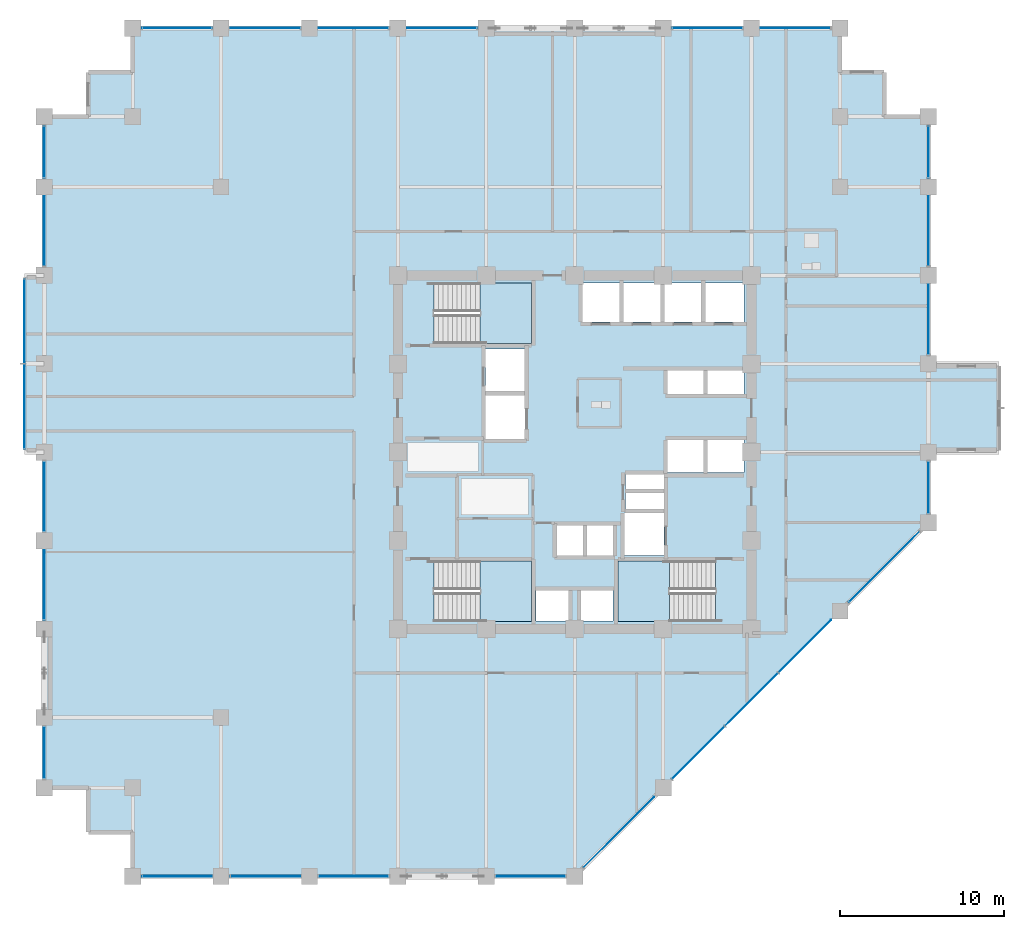
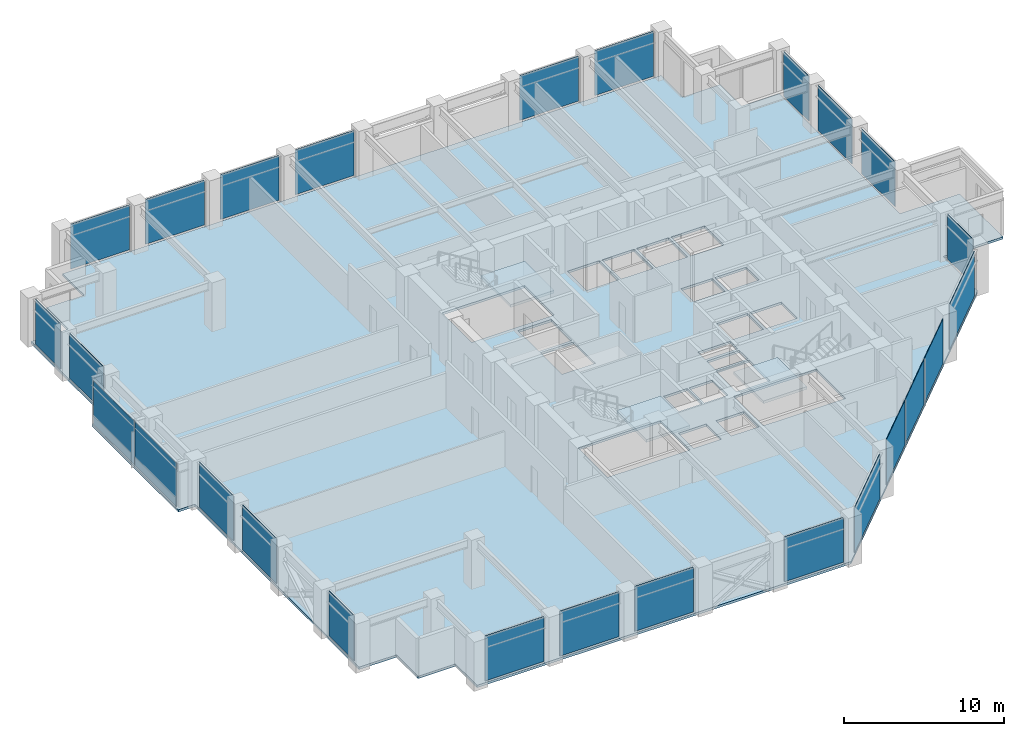
# One storey, part 18 of 26: 26 plates, 4 slabs, 14 elements without a shape of their own.
"""IFC4 building model written with IfcOpenShell, lengths in metres."""

import ifcopenshell
import ifcopenshell.guid

model = None  # the IFC model being written
_history = None  # IfcOwnerHistory: only IFC2X3 demands one
_inside = {}  # id of a spatial element -> (the spatial element, [elements in it])
_under = {}  # id of a project, library or spatial element -> (it, [spatial elements below it])
_declared = {}  # id of a project -> (the project, [libraries it declares])
_typed = {}  # id of a type object -> (the type object, [elements of that type])
_made_of = {}  # id of a material, layer set ... -> (it, [elements and type objects made of it])


def new_model(schema):
    """Start an empty IFC model of exactly this schema.

    Asked for "IFC4X3", IfcOpenShell would pick the latest addendum, in which some entities
    have other attributes; the version numbers below select the first issue.
    IFC2X3 requires an IfcOwnerHistory on every rooted entity: one is made here for all.
    """
    global model, _history
    if schema == "IFC4X3":
        model = ifcopenshell.file(schema_version=(4, 3, 0, 0))
    else:
        model = ifcopenshell.file(schema=schema)
    _inside.clear()
    _under.clear()
    _declared.clear()
    _typed.clear()
    _made_of.clear()
    _history = None
    if model.schema == "IFC2X3":
        org = make("IfcOrganization", Name="unknown")
        user = make(
            "IfcPersonAndOrganization",
            ThePerson=make("IfcPerson", FamilyName="unknown"),
            TheOrganization=org,
        )
        app = make(
            "IfcApplication",
            ApplicationDeveloper=org,
            Version="unknown",
            ApplicationFullName="unknown",
            ApplicationIdentifier="unknown",
        )
        _history = make(
            "IfcOwnerHistory",
            OwningUser=user,
            OwningApplication=app,
            ChangeAction="ADDED",
            CreationDate=0,
        )
    return model


def make(cls, **values):
    """One entity of the class cls with the attributes given. An attribute that is None is left unset."""
    return model.create_entity(
        cls, **{name: value for name, value in values.items() if value is not None}
    )


def rooted(cls, **values):
    """An entity with a GlobalId (a new one), such as an element, a storey or a relation."""
    return make(cls, GlobalId=ifcopenshell.guid.new(), OwnerHistory=_history, **values)


def si_unit(unit_type, name, prefix=None):
    """IfcSIUnit, for example si_unit("LENGTHUNIT", "METRE", prefix="MILLI")."""
    return make("IfcSIUnit", UnitType=unit_type, Prefix=prefix, Name=name)


def assignment(units):
    """IfcUnitAssignment: the units of a project."""
    return None if units is None else make("IfcUnitAssignment", Units=units)


def point(xyz):
    """IfcCartesianPoint."""
    return None if xyz is None else make("IfcCartesianPoint", Coordinates=xyz)


def direction(xyz):
    """IfcDirection."""
    return None if xyz is None else make("IfcDirection", DirectionRatios=xyz)


def frame(location, z_axis=None, x_axis=None):
    """IfcAxis2Placement3D, a coordinate frame: its origin and axes. An axis left out is left unset."""
    return make(
        "IfcAxis2Placement3D",
        Location=point(location),
        Axis=direction(z_axis),
        RefDirection=direction(x_axis),
    )


def frame_2d(location, x_axis=None):
    """IfcAxis2Placement2D, a coordinate frame in the plane: its origin and x axis."""
    return make(
        "IfcAxis2Placement2D", Location=point(location), RefDirection=direction(x_axis)
    )


def origin():
    """The frame at (0, 0, 0) with its axes left unset."""
    return frame((0.0, 0.0, 0.0))


def place(relative_to, where):
    """IfcLocalPlacement: puts the frame where relative to a parent placement (None: the world)."""
    return make(
        "IfcLocalPlacement", PlacementRelTo=relative_to, RelativePlacement=where
    )


def context(
    kind, dimensions, precision=None, world=None, true_north=None, identifier=None
):
    """IfcGeometricRepresentationContext, for example the 3D "Model" context."""
    return make(
        "IfcGeometricRepresentationContext",
        ContextIdentifier=identifier,
        ContextType=kind,
        CoordinateSpaceDimension=dimensions,
        Precision=precision,
        WorldCoordinateSystem=world,
        TrueNorth=true_north,
    )


def subcontext(parent, identifier, kind, view, scale=None):
    """IfcGeometricRepresentationSubContext, for example "Body" below "Model"."""
    return make(
        "IfcGeometricRepresentationSubContext",
        ContextIdentifier=identifier,
        ContextType=kind,
        ParentContext=parent,
        TargetScale=scale,
        TargetView=view,
    )


def project(units=None, contexts=None):
    """IfcProject with its units and contexts."""
    return rooted(
        "IfcProject",
        Name="project",
        RepresentationContexts=contexts,
        UnitsInContext=assignment(units),
    )


def spatial(cls, under=None, at=None, **own):
    """A site, building, storey or space (cls), placed at a placement, below another one or the project."""
    s = rooted(cls, ObjectPlacement=at, **own)
    if under is not None:
        _under.setdefault(under.id(), (under, []))[1].append(s)
    return s


def polyline(points):
    """IfcPolyline through the points."""
    return make("IfcPolyline", Points=[point(p) for p in points])


def profile(cls, at=None, kind="AREA", **sizes):
    """A parametric profile (cls). Its sizes go by their IFC names, for example OverallWidth=200.0."""
    return make(cls, ProfileType=kind, Position=at, **sizes)


def rectangle(**sizes):
    """IfcRectangleProfileDef."""
    return profile("IfcRectangleProfileDef", **sizes)


def outline(outer, holes=None, kind="AREA"):
    """IfcArbitraryClosedProfileDef: a profile drawn as a closed curve; with holes, ...WithVoids."""
    if holes is None:
        return make("IfcArbitraryClosedProfileDef", ProfileType=kind, OuterCurve=outer)
    return make(
        "IfcArbitraryProfileDefWithVoids",
        ProfileType=kind,
        OuterCurve=outer,
        InnerCurves=holes,
    )


def extrude(swept, where, along, depth):
    """IfcExtrudedAreaSolid: the profile swept, set in the frame where, extruded along a direction by depth."""
    return make(
        "IfcExtrudedAreaSolid",
        SweptArea=swept,
        Position=where,
        ExtrudedDirection=direction(along),
        Depth=depth,
    )


def shape(context_of_items, identifier, shape_type, items):
    """IfcShapeRepresentation: the items that make up one representation, for example the "Body"."""
    return make(
        "IfcShapeRepresentation",
        ContextOfItems=context_of_items,
        RepresentationIdentifier=identifier,
        RepresentationType=shape_type,
        Items=items,
    )


def material(Name=None, Category=None):
    """IfcMaterial."""
    return make("IfcMaterial", Name=Name, Category=Category)


def layer(
    of_material, thickness, ventilated=None, Name=None, Category=None, Priority=None
):
    """IfcMaterialLayer: one layer of a wall or slab, of a material (None: an air gap)."""
    return make(
        "IfcMaterialLayer",
        Material=of_material,
        LayerThickness=thickness,
        IsVentilated=ventilated,
        Name=Name,
        Category=Category,
        Priority=Priority,
    )


def layer_set(layers, Name=None):
    """IfcMaterialLayerSet."""
    return make("IfcMaterialLayerSet", MaterialLayers=layers, LayerSetName=Name)


def made_of(thing, what):
    """Note that an element or type object is made of a material, layer set ...; save() writes the relation."""
    if what is not None:
        _made_of.setdefault(what.id(), (what, []))[1].append(thing)
    return thing


def type_object(cls, material=None, **own):
    """A type object (cls), such as IfcWallType, which elements share."""
    return made_of(rooted(cls, **own), material)


def element(
    cls,
    number,
    at=None,
    inside=None,
    cuts=None,
    type_object=None,
    material=None,
    context=None,
    identifier="Body",
    shape_type=None,
    held_by="IfcProductDefinitionShape",
    body=None,
    shapes=None,
    **own,
):
    """One element of the class cls, such as IfcWall. Its Tag is "e" and its number.

    at: its placement. inside: the storey or other place that contains it. cuts: it is an
    opening in that element (IfcRelVoidsElement). A single representation is given by context,
    identifier, shape_type and body (its items); several are given by shapes. held_by: the class
    of the entity that holds the representations. save() writes the other relations.
    """
    e = rooted(cls, Tag="e%d" % number, ObjectPlacement=at, **own)
    if body is not None:
        shapes = [shape(context, identifier, shape_type, body)]
    if shapes is not None:
        e.Representation = make(held_by, Representations=shapes)
    if inside is not None:
        _inside.setdefault(inside.id(), (inside, []))[1].append(e)
    if cuts is not None:
        rooted(
            "IfcRelVoidsElement", RelatingBuildingElement=cuts, RelatedOpeningElement=e
        )
    if type_object is not None:
        _typed.setdefault(type_object.id(), (type_object, []))[1].append(e)
    return made_of(e, material)


def aggregate(whole, parts):
    """IfcRelAggregates: a whole, such as a stair, and the parts it consists of."""
    return rooted("IfcRelAggregates", RelatingObject=whole, RelatedObjects=parts)


def save(model, path):
    """Write the relations noted so far, then the file.

    IfcRelAggregates (storeys below a building ...), IfcRelContainedInSpatialStructure (elements
    in a storey), IfcRelDefinesByType, IfcRelAssociatesMaterial and IfcRelDeclares: one each for
    every whole, place, type object, material and project.
    """
    for whole, parts in _under.values():
        aggregate(whole, parts)
    for where, things in _inside.values():
        rooted(
            "IfcRelContainedInSpatialStructure",
            RelatedElements=things,
            RelatingStructure=where,
        )
    for kind, things in _typed.values():
        rooted("IfcRelDefinesByType", RelatedObjects=things, RelatingType=kind)
    for what, things in _made_of.values():
        rooted("IfcRelAssociatesMaterial", RelatedObjects=things, RelatingMaterial=what)
    for by, libraries in _declared.values():
        rooted("IfcRelDeclares", RelatingContext=by, RelatedDefinitions=libraries)
    model.write(path)


model = new_model("IFC4")

# Units and contexts
model_context = context("Model", 3, precision=1e-05, world=origin(), true_north=direction((0.0, 1.0)))
body_context = subcontext(model_context, "Body", "Model", "MODEL_VIEW")
ifc_project = project(units=[si_unit("LENGTHUNIT", "METRE"), si_unit("AREAUNIT", "SQUARE_METRE"), si_unit("VOLUMEUNIT", "CUBIC_METRE"), si_unit("PLANEANGLEUNIT", "RADIAN"), si_unit("MASSUNIT", "GRAM", prefix="KILO")], contexts=[model_context])

# Site, building, storey
site_placement = place(None, origin())
site = spatial("IfcSite", under=ifc_project, at=site_placement, CompositionType="ELEMENT")
building_placement = place(site_placement, origin())
building = spatial("IfcBuilding", under=site, at=building_placement, Name="Surkhivell Harbour Commons", CompositionType="ELEMENT")
storey_placement = place(building_placement, frame((0.0, 0.0, 143.25)))
storey = spatial("IfcBuildingStorey", under=building, at=storey_placement, Name="L37", CompositionType="ELEMENT", Elevation=143.25)

# Curtain wall, plates
ifc_material_1 = material(Name="Anodised pale-metal aluminium and insulated glazing", Category="aluminium")
ifc_layer_1 = layer(ifc_material_1, 0.1650390625)
ifc_layer_set_1 = layer_set([ifc_layer_1], Name="Anodised pale-metal aluminium and insulated glazing")
curtain_wall_type_1 = type_object("IfcCurtainWallType", Name="CW-SYS-BOX", PredefinedType="NOTDEFINED", material=ifc_layer_set_1)
curtain_wall_1_placement = place(storey_placement, origin())
curtain_wall_1 = element("IfcCurtainWall", 1, at=curtain_wall_1_placement, inside=storey, type_object=curtain_wall_type_1, Name="L37 Curtain Wall CW-L37-BOX02", PredefinedType="NOTDEFINED")
ifc_material_2 = material(Name="Triple-glazed bay-cluster vision glass", Category="glass")
ifc_layer_2 = layer(ifc_material_2, 0.028076171875)
ifc_layer_set_2 = layer_set([ifc_layer_2], Name="Triple-glazed bay-cluster vision glass")
plate_type_1 = type_object("IfcPlateType", Name="CWP-GLZ-28", PredefinedType="CURTAIN_PANEL", material=ifc_layer_set_2)
plate_1_placement = place(storey_placement, frame((-33.60009765625, 0.219970703125, 0.1298828125), z_axis=(0.0, 0.0, 1.0), x_axis=(0.0, 1.0, 0.0)))
plate_1 = element("IfcPlate", 2, at=plate_1_placement, type_object=plate_type_1, Name="CW-BOX panel 1.1", PredefinedType="CURTAIN_PANEL", context=body_context, shape_type="SweptSolid", body=[
    extrude(rectangle(XDim=5.14501953125, YDim=0.028076171875, at=frame_2d((2.572509765625, 0.0))), origin(), (0.0, 0.0, 1.0), 3.31005859375),
])
plate_2_placement = place(storey_placement, frame((-33.60009765625, 5.43505859375, 0.1298828125), z_axis=(0.0, 0.0, 1.0), x_axis=(0.0, 1.0, 0.0)))
plate_2 = element("IfcPlate", 3, at=plate_2_placement, type_object=plate_type_1, Name="CW-BOX panel 2.1", PredefinedType="CURTAIN_PANEL", context=body_context, shape_type="SweptSolid", body=[
    extrude(rectangle(XDim=5.14501953125, YDim=0.028076171875, at=frame_2d((2.572509765625, 0.0))), origin(), (0.0, 0.0, 1.0), 3.31005859375),
])
aggregate(curtain_wall_1, [plate_1, plate_2])

ifc_layer_3 = layer(ifc_material_1, 0.205078125)
ifc_layer_set_3 = layer_set([ifc_layer_3], Name="Anodised pale-metal aluminium and insulated glazing")
curtain_wall_type_2 = type_object("IfcCurtainWallType", Name="CW-SYS-Z2", PredefinedType="NOTDEFINED", material=ifc_layer_set_3)
curtain_wall_2_placement = place(storey_placement, origin())
curtain_wall_2 = element("IfcCurtainWall", 4, at=curtain_wall_2_placement, inside=storey, type_object=curtain_wall_type_2, Name="L37 Curtain Wall CW-L37-E00S1", PredefinedType="NOTDEFINED")
ifc_material_3 = material(Name="High-pressure typhoon laminated vision glass", Category="glass")
ifc_layer_4 = layer(ifc_material_3, 0.035888671875)
ifc_layer_set_4 = layer_set([ifc_layer_4], Name="High-pressure typhoon laminated vision glass")
plate_type_2 = type_object("IfcPlateType", Name="CWP-GLZ-36", PredefinedType="CURTAIN_PANEL", material=ifc_layer_set_4)
plate_3_placement = place(storey_placement, frame((-26.423095703125, -25.89990234375, 0.14990234375), z_axis=(0.0, 0.0, 1.0), x_axis=(1.0, 0.0, 0.0)))
plate_3 = element("IfcPlate", 5, at=plate_3_placement, type_object=plate_type_2, Name="CW-Z2 panel 1.1", PredefinedType="CURTAIN_PANEL", context=body_context, shape_type="SweptSolid", body=[
    extrude(rectangle(XDim=4.24609375, YDim=0.035888671875, at=frame_2d((2.123046875, 0.0))), origin(), (0.0, 0.0, 1.0), 3.420166015625),
])
plate_4_placement = place(storey_placement, frame((-21.02294921875, -25.89990234375, 0.14990234375), z_axis=(0.0, 0.0, 1.0), x_axis=(1.0, 0.0, 0.0)))
plate_4 = element("IfcPlate", 6, at=plate_4_placement, type_object=plate_type_2, Name="CW-Z2 panel 2.1", PredefinedType="CURTAIN_PANEL", context=body_context, shape_type="SweptSolid", body=[
    extrude(rectangle(XDim=4.245849609375, YDim=0.035888671875, at=frame_2d((2.123046875, 0.0))), origin(), (0.0, 0.0, 1.0), 3.420166015625),
])
plate_5_placement = place(storey_placement, frame((-15.623046875, -25.89990234375, 0.14990234375), z_axis=(0.0, 0.0, 1.0), x_axis=(1.0, 0.0, 0.0)))
plate_5 = element("IfcPlate", 7, at=plate_5_placement, type_object=plate_type_2, Name="CW-Z2 panel 3.1", PredefinedType="CURTAIN_PANEL", context=body_context, shape_type="SweptSolid", body=[
    extrude(rectangle(XDim=4.24609375, YDim=0.035888671875, at=frame_2d((2.123046875, 0.0))), origin(), (0.0, 0.0, 1.0), 3.420166015625),
])
aggregate(curtain_wall_2, [plate_3, plate_4, plate_5])

# Curtain wall, plate
curtain_wall_3_placement = place(storey_placement, origin())
curtain_wall_3 = element("IfcCurtainWall", 8, at=curtain_wall_3_placement, inside=storey, type_object=curtain_wall_type_2, Name="L37 Curtain Wall CW-L37-E00S2", PredefinedType="NOTDEFINED")
plate_6_placement = place(storey_placement, frame((-4.822998046875, -25.89990234375, 0.14990234375), z_axis=(0.0, 0.0, 1.0), x_axis=(1.0, 0.0, 0.0)))
plate_6 = element("IfcPlate", 9, at=plate_6_placement, type_object=plate_type_2, Name="CW-Z2 panel 1.1", PredefinedType="CURTAIN_PANEL", context=body_context, shape_type="SweptSolid", body=[
    extrude(rectangle(XDim=4.24609375, YDim=0.035888671875, at=frame_2d((2.123046875, 0.0))), origin(), (0.0, 0.0, 1.0), 3.420166015625),
])
aggregate(curtain_wall_3, [plate_6])

# Curtain wall, plates
curtain_wall_4_placement = place(storey_placement, origin())
curtain_wall_4 = element("IfcCurtainWall", 10, at=curtain_wall_4_placement, inside=storey, type_object=curtain_wall_type_2, Name="L37 Curtain Wall CW-L37-E01", PredefinedType="NOTDEFINED")
plate_7_placement = place(storey_placement, frame((0.5546875, -25.34521484375, 0.14990234375), z_axis=(0.0, 0.0, 1.0), x_axis=(0.707106781187, 0.707106781187, 0.0)))
plate_7 = element("IfcPlate", 11, at=plate_7_placement, type_object=plate_type_2, Name="CW-Z2 panel 1.1", PredefinedType="CURTAIN_PANEL", context=body_context, shape_type="SweptSolid", body=[
    extrude(rectangle(XDim=6.067626953125, YDim=0.035888671875, at=frame_2d((3.03369140625, 0.0))), origin(), (0.0, 0.0, 1.0), 3.420166015625),
])
plate_8_placement = place(storey_placement, frame((5.954833984375, -19.9453125, 0.14990234375), z_axis=(0.0, 0.0, 1.0), x_axis=(0.707079687416, 0.707133873919, 0.0)))
plate_8 = element("IfcPlate", 12, at=plate_8_placement, type_object=plate_type_2, Name="CW-Z2 panel 2.1", PredefinedType="CURTAIN_PANEL", context=body_context, shape_type="SweptSolid", body=[
    extrude(rectangle(XDim=4.505615234375, YDim=0.035888671875, at=frame_2d((2.2529296875, 0.0))), origin(), (0.0, 0.0, 1.0), 3.420166015625),
])
plate_9_placement = place(storey_placement, frame((9.19384765625, -16.706298828125, 0.14990234375), z_axis=(0.0, 0.0, 1.0), x_axis=(0.707079911854, 0.707133649498, 0.0)))
plate_9 = element("IfcPlate", 13, at=plate_9_placement, type_object=plate_type_2, Name="CW-Z2 panel 3.1", PredefinedType="CURTAIN_PANEL", context=body_context, shape_type="SweptSolid", body=[
    extrude(rectangle(XDim=4.543212890625, YDim=0.035888671875, at=frame_2d((2.271484375, 0.0))), origin(), (0.0, 0.0, 1.0), 3.420166015625),
])
plate_10_placement = place(storey_placement, frame((12.459228515625, -13.440673828125, 0.14990234375), z_axis=(0.0, 0.0, 1.0), x_axis=(0.707106781187, 0.707106781187, 0.0)))
plate_10 = element("IfcPlate", 14, at=plate_10_placement, type_object=plate_type_2, Name="CW-Z2 panel 4.1", PredefinedType="CURTAIN_PANEL", context=body_context, shape_type="SweptSolid", body=[
    extrude(rectangle(XDim=4.505615234375, YDim=0.035888671875, at=frame_2d((2.2529296875, 0.0))), origin(), (0.0, 0.0, 1.0), 3.420166015625),
])
plate_11_placement = place(storey_placement, frame((16.754638671875, -9.145263671875, 0.14990234375), z_axis=(0.0, 0.0, 1.0), x_axis=(0.707106781187, 0.707106781187, 0.0)))
plate_11 = element("IfcPlate", 15, at=plate_11_placement, type_object=plate_type_2, Name="CW-Z2 panel 5.1", PredefinedType="CURTAIN_PANEL", context=body_context, shape_type="SweptSolid", body=[
    extrude(rectangle(XDim=6.067626953125, YDim=0.035888671875, at=frame_2d((3.03369140625, 0.0))), origin(), (0.0, 0.0, 1.0), 3.420166015625),
])
aggregate(curtain_wall_4, [plate_7, plate_8, plate_9, plate_10, plate_11])

# Curtain wall, plate
curtain_wall_5_placement = place(storey_placement, origin())
curtain_wall_5 = element("IfcCurtainWall", 16, at=curtain_wall_5_placement, inside=storey, type_object=curtain_wall_type_2, Name="L37 Curtain Wall CW-L37-E02R1", PredefinedType="NOTDEFINED")
plate_12_placement = place(storey_placement, frame((21.60009765625, -3.722900390625, 0.14990234375), z_axis=(0.0, 0.0, 1.0), x_axis=(0.0, 1.0, 0.0)))
plate_12 = element("IfcPlate", 17, at=plate_12_placement, type_object=plate_type_2, Name="CW-Z2 panel 1.1", PredefinedType="CURTAIN_PANEL", context=body_context, shape_type="SweptSolid", body=[
    extrude(rectangle(XDim=3.14599609375, YDim=0.035888671875, at=frame_2d((1.572998046875, 0.0))), origin(), (0.0, 0.0, 1.0), 3.420166015625),
])
aggregate(curtain_wall_5, [plate_12])

# Curtain wall, plates
curtain_wall_6_placement = place(storey_placement, origin())
curtain_wall_6 = element("IfcCurtainWall", 18, at=curtain_wall_6_placement, inside=storey, type_object=curtain_wall_type_2, Name="L37 Curtain Wall CW-L37-E02R2", PredefinedType="NOTDEFINED")
plate_13_placement = place(storey_placement, frame((21.60009765625, 5.97705078125, 0.14990234375), z_axis=(0.0, 0.0, 1.0), x_axis=(0.0, 1.0, 0.0)))
plate_13 = element("IfcPlate", 19, at=plate_13_placement, type_object=plate_type_2, Name="CW-Z2 panel 1.1", PredefinedType="CURTAIN_PANEL", context=body_context, shape_type="SweptSolid", body=[
    extrude(rectangle(XDim=4.245849609375, YDim=0.035888671875, at=frame_2d((2.123046875, 0.0))), origin(), (0.0, 0.0, 1.0), 3.420166015625),
])
plate_14_placement = place(storey_placement, frame((21.60009765625, 11.376953125, 0.14990234375), z_axis=(0.0, 0.0, 1.0), x_axis=(0.0, 1.0, 0.0)))
plate_14 = element("IfcPlate", 20, at=plate_14_placement, type_object=plate_type_2, Name="CW-Z2 panel 2.1", PredefinedType="CURTAIN_PANEL", context=body_context, shape_type="SweptSolid", body=[
    extrude(rectangle(XDim=4.24609375, YDim=0.035888671875, at=frame_2d((2.123046875, 0.0))), origin(), (0.0, 0.0, 1.0), 3.420166015625),
])
plate_15_placement = place(storey_placement, frame((21.60009765625, 16.777099609375, 0.14990234375), z_axis=(0.0, 0.0, 1.0), x_axis=(0.0, 1.0, 0.0)))
plate_15 = element("IfcPlate", 21, at=plate_15_placement, type_object=plate_type_2, Name="CW-Z2 panel 3.1", PredefinedType="CURTAIN_PANEL", context=body_context, shape_type="SweptSolid", body=[
    extrude(rectangle(XDim=3.14599609375, YDim=0.035888671875, at=frame_2d((1.572998046875, 0.0))), origin(), (0.0, 0.0, 1.0), 3.420166015625),
])
aggregate(curtain_wall_6, [plate_13, plate_14, plate_15])

curtain_wall_7_placement = place(storey_placement, origin())
curtain_wall_7 = element("IfcCurtainWall", 22, at=curtain_wall_7_placement, inside=storey, type_object=curtain_wall_type_2, Name="L37 Curtain Wall CW-L37-E07S1", PredefinedType="NOTDEFINED")
plate_16_placement = place(storey_placement, frame((15.623046875, 25.89990234375, 0.14990234375), z_axis=(0.0, 0.0, 1.0), x_axis=(-1.0, 0.0, 0.0)))
plate_16 = element("IfcPlate", 23, at=plate_16_placement, type_object=plate_type_2, Name="CW-Z2 panel 1.1", PredefinedType="CURTAIN_PANEL", context=body_context, shape_type="SweptSolid", body=[
    extrude(rectangle(XDim=4.24609375, YDim=0.035888671875, at=frame_2d((2.123046875, 0.0))), origin(), (0.0, 0.0, 1.0), 3.420166015625),
])
plate_17_placement = place(storey_placement, frame((10.222900390625, 25.89990234375, 0.14990234375), z_axis=(0.0, 0.0, 1.0), x_axis=(-1.0, 0.0, 0.0)))
plate_17 = element("IfcPlate", 24, at=plate_17_placement, type_object=plate_type_2, Name="CW-Z2 panel 2.1", PredefinedType="CURTAIN_PANEL", context=body_context, shape_type="SweptSolid", body=[
    extrude(rectangle(XDim=4.245849609375, YDim=0.035888671875, at=frame_2d((2.123046875, 0.0))), origin(), (0.0, 0.0, 1.0), 3.420166015625),
])
aggregate(curtain_wall_7, [plate_16, plate_17])

curtain_wall_8_placement = place(storey_placement, origin())
curtain_wall_8 = element("IfcCurtainWall", 25, at=curtain_wall_8_placement, inside=storey, type_object=curtain_wall_type_2, Name="L37 Curtain Wall CW-L37-E07S2", PredefinedType="NOTDEFINED")
plate_18_placement = place(storey_placement, frame((-5.97705078125, 25.89990234375, 0.14990234375), z_axis=(0.0, 0.0, 1.0), x_axis=(-1.0, 0.0, 0.0)))
plate_18 = element("IfcPlate", 26, at=plate_18_placement, type_object=plate_type_2, Name="CW-Z2 panel 1.1", PredefinedType="CURTAIN_PANEL", context=body_context, shape_type="SweptSolid", body=[
    extrude(rectangle(XDim=4.245849609375, YDim=0.035888671875, at=frame_2d((2.123046875, 0.0))), origin(), (0.0, 0.0, 1.0), 3.420166015625),
])
plate_19_placement = place(storey_placement, frame((-11.376953125, 25.89990234375, 0.14990234375), z_axis=(0.0, 0.0, 1.0), x_axis=(-1.0, 0.0, 0.0)))
plate_19 = element("IfcPlate", 27, at=plate_19_placement, type_object=plate_type_2, Name="CW-Z2 panel 2.1", PredefinedType="CURTAIN_PANEL", context=body_context, shape_type="SweptSolid", body=[
    extrude(rectangle(XDim=4.24609375, YDim=0.035888671875, at=frame_2d((2.123046875, 0.0))), origin(), (0.0, 0.0, 1.0), 3.420166015625),
])
plate_20_placement = place(storey_placement, frame((-16.777099609375, 25.89990234375, 0.14990234375), z_axis=(0.0, 0.0, 1.0), x_axis=(-1.0, 0.0, 0.0)))
plate_20 = element("IfcPlate", 28, at=plate_20_placement, type_object=plate_type_2, Name="CW-Z2 panel 3.1", PredefinedType="CURTAIN_PANEL", context=body_context, shape_type="SweptSolid", body=[
    extrude(rectangle(XDim=4.245849609375, YDim=0.035888671875, at=frame_2d((2.123046875, 0.0))), origin(), (0.0, 0.0, 1.0), 3.420166015625),
])
plate_21_placement = place(storey_placement, frame((-22.177001953125, 25.89990234375, 0.14990234375), z_axis=(0.0, 0.0, 1.0), x_axis=(-1.0, 0.0, 0.0)))
plate_21 = element("IfcPlate", 29, at=plate_21_placement, type_object=plate_type_2, Name="CW-Z2 panel 4.1", PredefinedType="CURTAIN_PANEL", context=body_context, shape_type="SweptSolid", body=[
    extrude(rectangle(XDim=4.24609375, YDim=0.035888671875, at=frame_2d((2.123046875, 0.0))), origin(), (0.0, 0.0, 1.0), 3.420166015625),
])
aggregate(curtain_wall_8, [plate_18, plate_19, plate_20, plate_21])

# Curtain wall, plate
curtain_wall_9_placement = place(storey_placement, origin())
curtain_wall_9 = element("IfcCurtainWall", 30, at=curtain_wall_9_placement, inside=storey, type_object=curtain_wall_type_2, Name="L37 Curtain Wall CW-L37-E12R1S1", PredefinedType="NOTDEFINED")
plate_22_placement = place(storey_placement, frame((-32.39990234375, -19.923095703125, 0.14990234375), z_axis=(0.0, 0.0, 1.0), x_axis=(0.0, 1.0, 0.0)))
plate_22 = element("IfcPlate", 31, at=plate_22_placement, type_object=plate_type_2, Name="CW-Z2 panel 1.1", PredefinedType="CURTAIN_PANEL", context=body_context, shape_type="SweptSolid", body=[
    extrude(rectangle(XDim=3.14599609375, YDim=0.035888671875, at=frame_2d((1.572998046875, 0.0))), origin(), (0.0, 0.0, 1.0), 3.420166015625),
])
aggregate(curtain_wall_9, [plate_22])

# Curtain wall, plates
curtain_wall_10_placement = place(storey_placement, origin())
curtain_wall_10 = element("IfcCurtainWall", 32, at=curtain_wall_10_placement, inside=storey, type_object=curtain_wall_type_2, Name="L37 Curtain Wall CW-L37-E12R1S2", PredefinedType="NOTDEFINED")
plate_23_placement = place(storey_placement, frame((-32.39990234375, -10.222900390625, 0.14990234375), z_axis=(0.0, 0.0, 1.0), x_axis=(0.0, 1.0, 0.0)))
plate_23 = element("IfcPlate", 33, at=plate_23_placement, type_object=plate_type_2, Name="CW-Z2 panel 1.1", PredefinedType="CURTAIN_PANEL", context=body_context, shape_type="SweptSolid", body=[
    extrude(rectangle(XDim=4.245849609375, YDim=0.035888671875, at=frame_2d((2.123046875, 0.0))), origin(), (0.0, 0.0, 1.0), 3.420166015625),
])
plate_24_placement = place(storey_placement, frame((-32.39990234375, -4.822998046875, 0.14990234375), z_axis=(0.0, 0.0, 1.0), x_axis=(0.0, 1.0, 0.0)))
plate_24 = element("IfcPlate", 34, at=plate_24_placement, type_object=plate_type_2, Name="CW-Z2 panel 2.1", PredefinedType="CURTAIN_PANEL", context=body_context, shape_type="SweptSolid", body=[
    extrude(rectangle(XDim=4.24609375, YDim=0.035888671875, at=frame_2d((2.123046875, 0.0))), origin(), (0.0, 0.0, 1.0), 3.420166015625),
])
aggregate(curtain_wall_10, [plate_23, plate_24])

curtain_wall_11_placement = place(storey_placement, origin())
curtain_wall_11 = element("IfcCurtainWall", 35, at=curtain_wall_11_placement, inside=storey, type_object=curtain_wall_type_2, Name="L37 Curtain Wall CW-L37-E12R2", PredefinedType="NOTDEFINED")
plate_25_placement = place(storey_placement, frame((-32.39990234375, 11.376953125, 0.14990234375), z_axis=(0.0, 0.0, 1.0), x_axis=(0.0, 1.0, 0.0)))
plate_25 = element("IfcPlate", 36, at=plate_25_placement, type_object=plate_type_2, Name="CW-Z2 panel 1.1", PredefinedType="CURTAIN_PANEL", context=body_context, shape_type="SweptSolid", body=[
    extrude(rectangle(XDim=4.24609375, YDim=0.035888671875, at=frame_2d((2.123046875, 0.0))), origin(), (0.0, 0.0, 1.0), 3.420166015625),
])
plate_26_placement = place(storey_placement, frame((-32.39990234375, 16.777099609375, 0.14990234375), z_axis=(0.0, 0.0, 1.0), x_axis=(0.0, 1.0, 0.0)))
plate_26 = element("IfcPlate", 37, at=plate_26_placement, type_object=plate_type_2, Name="CW-Z2 panel 2.1", PredefinedType="CURTAIN_PANEL", context=body_context, shape_type="SweptSolid", body=[
    extrude(rectangle(XDim=3.14599609375, YDim=0.035888671875, at=frame_2d((1.572998046875, 0.0))), origin(), (0.0, 0.0, 1.0), 3.420166015625),
])
aggregate(curtain_wall_11, [plate_25, plate_26])

# Stair, slab
ifc_material_4 = material(Name="Precast concrete C45/55", Category="concrete")
stair_type = type_object("IfcStairType", Name="STR-DL-375", PredefinedType="HALF_TURN_STAIR", material=ifc_material_4)
stair_1_placement = place(storey_placement, origin())
stair_1 = element("IfcStair", 38, at=stair_1_placement, inside=storey, type_object=stair_type, Name="L37 Core Exit Stair ST1", PredefinedType="HALF_TURN_STAIR")
ifc_material_5 = material(Name="Reinforced concrete C45/55", Category="concrete")
ifc_layer_5 = layer(ifc_material_5, 0.199951171875)
ifc_layer_set_5 = layer_set([ifc_layer_5], Name="Reinforced concrete C45/55")
slab_type_1 = type_object("IfcSlabType", Name="SLB-ST-LND200", PredefinedType="LANDING", material=ifc_layer_set_5)
slab_1_placement = place(storey_placement, frame((0.0, 0.0, 1.675048828125)))
slab_1 = element("IfcSlab", 39, at=slab_1_placement, type_object=slab_type_1, Name="ST1 landing 1", PredefinedType="LANDING", context=body_context, shape_type="SweptSolid", body=[
    extrude(outline(polyline([(-5.7900390625, 6.639892578125), (-2.639892578125, 6.639892578125), (-2.639892578125, 10.340087890625), (-5.7900390625, 10.340087890625), (-5.7900390625, 6.639892578125)])), origin(), (0.0, 0.0, 1.0), 0.199951171875),
])
aggregate(stair_1, [slab_1])

stair_2_placement = place(storey_placement, origin())
stair_2 = element("IfcStair", 40, at=stair_2_placement, inside=storey, type_object=stair_type, Name="L37 Core Exit Stair ST2", PredefinedType="HALF_TURN_STAIR")
slab_2_placement = place(storey_placement, frame((0.0, 0.0, 1.675048828125)))
slab_2 = element("IfcSlab", 41, at=slab_2_placement, type_object=slab_type_1, Name="ST2 landing 1", PredefinedType="LANDING", context=body_context, shape_type="SweptSolid", body=[
    extrude(outline(polyline([(5.7900390625, -6.639892578125), (2.639892578125, -6.639892578125), (2.639892578125, -10.340087890625), (5.7900390625, -10.340087890625), (5.7900390625, -6.639892578125)])), origin(), (0.0, 0.0, 1.0), 0.199951171875),
])
aggregate(stair_2, [slab_2])

stair_3_placement = place(storey_placement, origin())
stair_3 = element("IfcStair", 42, at=stair_3_placement, inside=storey, type_object=stair_type, Name="L37 Core Exit Stair ST3", PredefinedType="HALF_TURN_STAIR")
slab_3_placement = place(storey_placement, frame((0.0, 0.0, 1.675048828125)))
slab_3 = element("IfcSlab", 43, at=slab_3_placement, type_object=slab_type_1, Name="ST3 landing 1", PredefinedType="LANDING", context=body_context, shape_type="SweptSolid", body=[
    extrude(outline(polyline([(-5.7900390625, -10.340087890625), (-2.639892578125, -10.340087890625), (-2.639892578125, -6.639892578125), (-5.7900390625, -6.639892578125), (-5.7900390625, -10.340087890625)])), origin(), (0.0, 0.0, 1.0), 0.199951171875),
])
aggregate(stair_3, [slab_3])

# Slab
ifc_material_6 = material(Name="Concrete C45/55", Category="concrete")
ifc_layer_6 = layer(ifc_material_6, 0.179931640625)
ifc_layer_set_6 = layer_set([ifc_layer_6], Name="Concrete C45/55")
slab_type_2 = type_object("IfcSlabType", Name="SLB-TYP-180", PredefinedType="FLOOR", material=ifc_layer_set_6)
slab_4_placement = place(storey_placement, frame((0.0, 0.0, -0.179931640625)))
element("IfcSlab", 44, at=slab_4_placement, inside=storey, type_object=slab_type_2, Name="L37 Structural Floor Slab", PredefinedType="FLOOR", context=body_context, shape_type="SweptSolid", body=[
    extrude(outline(polyline([(-32.39990234375, 20.5), (-32.39990234375, 10.800048828125), (-33.60009765625, 10.800048828125), (-33.60009765625, 0.0), (-32.39990234375, 0.0), (-32.39990234375, -20.5), (-29.699951171875, -20.5), (-29.699951171875, -23.199951171875), (-27.0, -23.199951171875), (-27.0, -25.89990234375), (0.0, -25.89990234375), (21.60009765625, -4.300048828125), (21.60009765625, 0.0), (25.89990234375, 0.0), (25.89990234375, 5.39990234375), (21.60009765625, 5.39990234375), (21.60009765625, 20.5), (18.89990234375, 20.5), (18.89990234375, 23.199951171875), (16.199951171875, 23.199951171875), (16.199951171875, 25.89990234375), (-27.0, 25.89990234375), (-27.0, 23.199951171875), (-29.699951171875, 23.199951171875), (-29.699951171875, 20.5), (-32.39990234375, 20.5)]), holes=[polyline([(-8.590087890625, 6.639892578125), (-2.639892578125, 6.639892578125), (-2.639892578125, 10.340087890625), (-8.590087890625, 10.340087890625), (-8.590087890625, 6.639892578125)]), polyline([(8.590087890625, -6.639892578125), (2.639892578125, -6.639892578125), (2.639892578125, -10.340087890625), (8.590087890625, -10.340087890625), (8.590087890625, -6.639892578125)]), polyline([(-8.590087890625, -10.340087890625), (-2.639892578125, -10.340087890625), (-2.639892578125, -6.639892578125), (-8.590087890625, -6.639892578125), (-8.590087890625, -10.340087890625)]), polyline([(0.449951171875, 7.949951171875), (2.75, 7.949951171875), (2.75, 10.35009765625), (0.449951171875, 10.35009765625), (0.449951171875, 7.949951171875)]), polyline([(2.949951171875, 7.949951171875), (5.25, 7.949951171875), (5.25, 10.35009765625), (2.949951171875, 10.35009765625), (2.949951171875, 7.949951171875)]), polyline([(5.449951171875, 7.949951171875), (7.75, 7.949951171875), (7.75, 10.35009765625), (5.449951171875, 10.35009765625), (5.449951171875, 7.949951171875)]), polyline([(7.949951171875, 7.949951171875), (10.35009765625, 7.949951171875), (10.35009765625, 10.35009765625), (7.949951171875, 10.35009765625), (7.949951171875, 7.949951171875)]), polyline([(5.64990234375, 3.550048828125), (7.89990234375, 3.550048828125), (7.89990234375, 5.14990234375), (5.64990234375, 5.14990234375), (5.64990234375, 3.550048828125)]), polyline([(8.10009765625, 3.550048828125), (10.35009765625, 3.550048828125), (10.35009765625, 5.14990234375), (8.10009765625, 5.14990234375), (8.10009765625, 3.550048828125)]), polyline([(5.64990234375, -1.25), (7.89990234375, -1.25), (7.89990234375, 0.75), (5.64990234375, 0.75), (5.64990234375, -1.25)]), polyline([(8.10009765625, -1.25), (10.35009765625, -1.25), (10.35009765625, 0.75), (8.10009765625, 0.75), (8.10009765625, -1.25)]), polyline([(-1.14990234375, -6.35009765625), (0.550048828125, -6.35009765625), (0.550048828125, -4.449951171875), (-1.14990234375, -4.449951171875), (-1.14990234375, -6.35009765625)]), polyline([(0.679931640625, -6.35009765625), (2.3798828125, -6.35009765625), (2.3798828125, -4.449951171875), (0.679931640625, -4.449951171875), (0.679931640625, -6.35009765625)]), polyline([(-2.35009765625, -10.300048828125), (-0.35009765625, -10.300048828125), (-0.35009765625, -8.39990234375), (-2.35009765625, -8.39990234375), (-2.35009765625, -10.300048828125)]), polyline([(0.35009765625, -10.300048828125), (2.35009765625, -10.300048828125), (2.35009765625, -8.39990234375), (0.35009765625, -8.39990234375), (0.35009765625, -10.300048828125)]), polyline([(-5.449951171875, 3.699951171875), (-3.050048828125, 3.699951171875), (-3.050048828125, 6.300048828125), (-5.449951171875, 6.300048828125), (-5.449951171875, 3.699951171875)]), polyline([(3.050048828125, -6.300048828125), (5.449951171875, -6.300048828125), (5.449951171875, -3.699951171875), (3.050048828125, -3.699951171875), (3.050048828125, -6.300048828125)]), polyline([(-5.449951171875, 0.800048828125), (-3.050048828125, 0.800048828125), (-3.050048828125, 3.5), (-5.449951171875, 3.5), (-5.449951171875, 0.800048828125)]), polyline([(3.10009765625, -3.550048828125), (5.449951171875, -3.550048828125), (5.449951171875, -2.47998046875), (3.10009765625, -2.47998046875), (3.10009765625, -3.550048828125)]), polyline([(3.10009765625, -2.280029296875), (5.449951171875, -2.280029296875), (5.449951171875, -1.35009765625), (3.10009765625, -1.35009765625), (3.10009765625, -2.280029296875)])]), origin(), (0.0, 0.0, 1.0), 0.179931640625),
])

save(model, "model.ifc")
